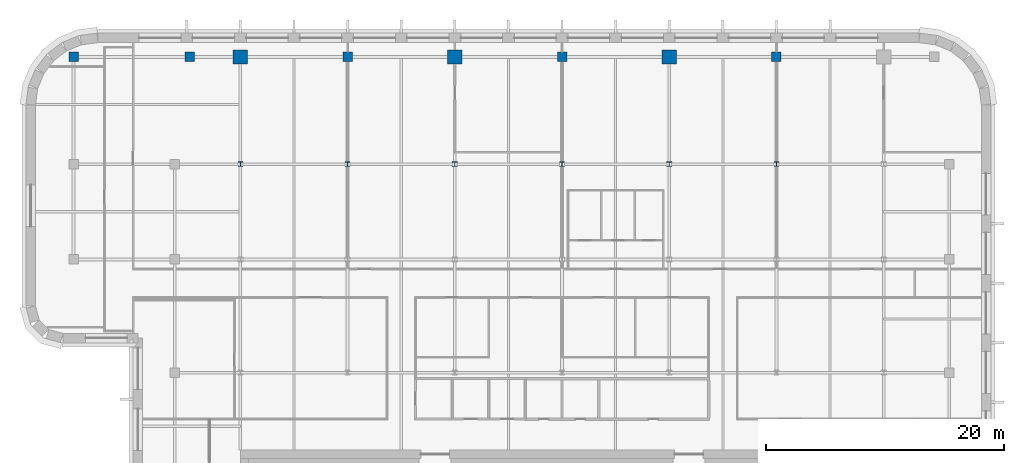
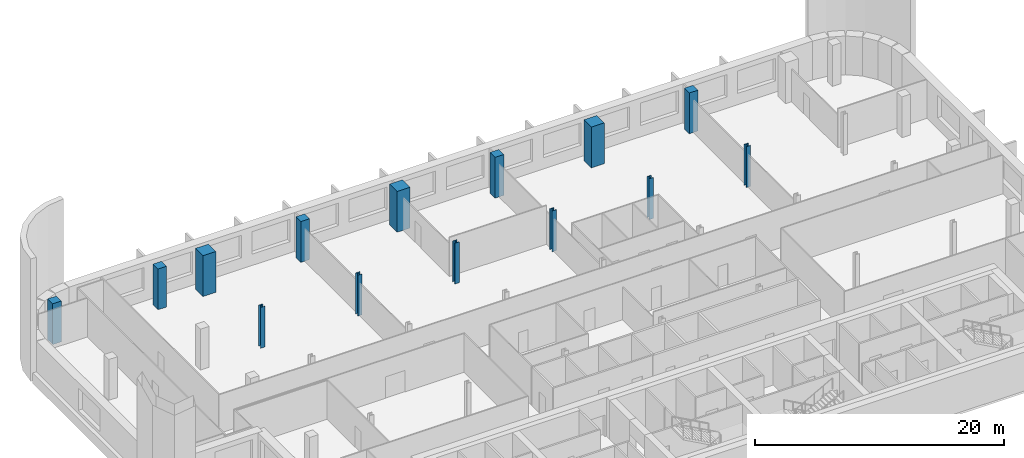
# One storey, part 3 of 16: 14 columns.
"""IFC4 building model written with IfcOpenShell, lengths in metres."""

from ifc_helpers import new_model, si_unit, direction, frame, origin, origin_2d, place, context, subcontext, project, spatial, rectangle, i_section, extrude, material, material_profile, profile_set, type_object, element, save


model = new_model("IFC4")

# Units and contexts
model_context = context("Model", 3, precision=1e-05, world=origin(), true_north=direction((0.0, 1.0)))
body_context = subcontext(model_context, "Body", "Model", "MODEL_VIEW")
ifc_project = project(units=[si_unit("LENGTHUNIT", "METRE"), si_unit("AREAUNIT", "SQUARE_METRE"), si_unit("VOLUMEUNIT", "CUBIC_METRE"), si_unit("PLANEANGLEUNIT", "RADIAN"), si_unit("MASSUNIT", "GRAM", prefix="KILO")], contexts=[model_context])

# Site, building, storey
site_placement = place(None, origin())
site = spatial("IfcSite", under=ifc_project, at=site_placement, CompositionType="ELEMENT")
building_placement = place(site_placement, origin())
building = spatial("IfcBuilding", under=site, at=building_placement, Name="Zellij Exchange Tower", CompositionType="ELEMENT")
storey_placement = place(building_placement, frame((0.0, 0.0, 244.5)))
storey = spatial("IfcBuildingStorey", under=building, at=storey_placement, Name="L57", CompositionType="ELEMENT", Elevation=244.5)

# Columns
ifc_material_1 = material(Name="Concrete C50/60", Category="concrete")
ifc_material_profile_1 = material_profile(ifc_material_1, rectangle(XDim=0.800048828125, YDim=0.800048828125, at=origin_2d()), Name="STR-COLUMN RC800x800 C50/60")
ifc_profile_set_1 = profile_set([ifc_material_profile_1], Name="Concrete C50/60")
column_type_1 = type_object("IfcColumnType", Name="STR-COLUMN RC800x800 C50/60", PredefinedType="COLUMN", material=ifc_profile_set_1)
for number, where, z_axis, x_axis, name in (
    (1, (-41.0, 31.0, 0.0), (0.0, 0.0, 1.0), (1.0, 0.0, 0.0), "C15"),
    (2, (-31.25, 31.0, 0.0), (0.0, 0.0, 1.0), (1.0, 0.0, 0.0), "C15"),
    (3, (-18.0, 31.0, 0.0), (0.0, 0.0, 1.0), (1.0, 0.0, 0.0), "C15"),
    (4, (0.0, 31.0, 0.0), (0.0, 0.0, 1.0), (1.0, 0.0, 0.0), "C15"),
    (5, (18.0, 31.0, 0.0), (0.0, 0.0, 1.0), (1.0, 0.0, 0.0), "C15"),
):
    element("IfcColumn", number, at=place(storey_placement, frame(where, z_axis=z_axis, x_axis=x_axis)), inside=storey, type_object=column_type_1, Name=name, PredefinedType="COLUMN", context=body_context, shape_type="SweptSolid", body=[
        extrude(rectangle(XDim=0.800048828125, YDim=0.800048828125, at=origin_2d()), origin(), (0.0, 0.0, 1.0), 4.0),
    ])
ifc_material_2 = material(Name="Structural steel ASTM A992 Gr 50", Category="steel")
ifc_material_profile_2 = material_profile(ifc_material_2, i_section(OverallWidth=0.398681640625, OverallDepth=0.385986328125, WebThickness=0.02099609375, FlangeThickness=0.033203125, at=origin_2d()), Name="W14x176")
ifc_profile_set_2 = profile_set([ifc_material_profile_2], Name="Structural steel ASTM A992 Gr 50")
column_type_2 = type_object("IfcColumnType", Name="STR-COLUMN W14x176", PredefinedType="COLUMN", material=ifc_profile_set_2)
for number, where, z_axis, x_axis, name in (
    (6, (-27.0, 22.0, 0.0), (0.0, 0.0, 1.0), (1.0, 0.0, 0.0), "C2"),
    (7, (-18.0, 22.0, 0.0), (0.0, 0.0, 1.0), (1.0, 0.0, 0.0), "C2"),
    (8, (-9.0, 22.0, 0.0), (0.0, 0.0, 1.0), (1.0, 0.0, 0.0), "C2"),
    (9, (0.0, 22.0, 0.0), (0.0, 0.0, 1.0), (1.0, 0.0, 0.0), "C2"),
    (10, (9.0, 22.0, 0.0), (0.0, 0.0, 1.0), (1.0, 0.0, 0.0), "C2"),
    (11, (18.0, 22.0, 0.0), (0.0, 0.0, 1.0), (1.0, 0.0, 0.0), "C2"),
):
    element("IfcColumn", number, at=place(storey_placement, frame(where, z_axis=z_axis, x_axis=x_axis)), inside=storey, type_object=column_type_2, Name=name, PredefinedType="COLUMN", context=body_context, shape_type="SweptSolid", body=[
        extrude(i_section(OverallWidth=0.398681640625, OverallDepth=0.385986328125, WebThickness=0.02099609375, FlangeThickness=0.033203125, at=origin_2d()), origin(), (0.0, 0.0, 1.0), 4.0),
    ])
ifc_material_profile_3 = material_profile(ifc_material_1, rectangle(XDim=1.199951171875, YDim=1.199951171875, at=origin_2d()), Name="STR-MEGA COLUMN RC1200x1200 C50/60")
ifc_profile_set_3 = profile_set([ifc_material_profile_3], Name="Concrete C50/60")
column_type_3 = type_object("IfcColumnType", Name="STR-MEGA COLUMN RC1200x1200 C50/60", PredefinedType="COLUMN", material=ifc_profile_set_3)
for number, where, z_axis, x_axis, name in (
    (12, (-27.0, 31.0, 0.0), (0.0, 0.0, 1.0), (1.0, 0.0, 0.0), "MC2"),
    (13, (-9.0, 31.0, 0.0), (0.0, 0.0, 1.0), (1.0, 0.0, 0.0), "MC2"),
    (14, (9.0, 31.0, 0.0), (0.0, 0.0, 1.0), (1.0, 0.0, 0.0), "MC2"),
):
    element("IfcColumn", number, at=place(storey_placement, frame(where, z_axis=z_axis, x_axis=x_axis)), inside=storey, type_object=column_type_3, Name=name, PredefinedType="COLUMN", context=body_context, shape_type="SweptSolid", body=[
        extrude(rectangle(XDim=1.199951171875, YDim=1.199951171875, at=origin_2d()), origin(), (0.0, 0.0, 1.0), 4.0),
    ])

save(model, "model.ifc")
